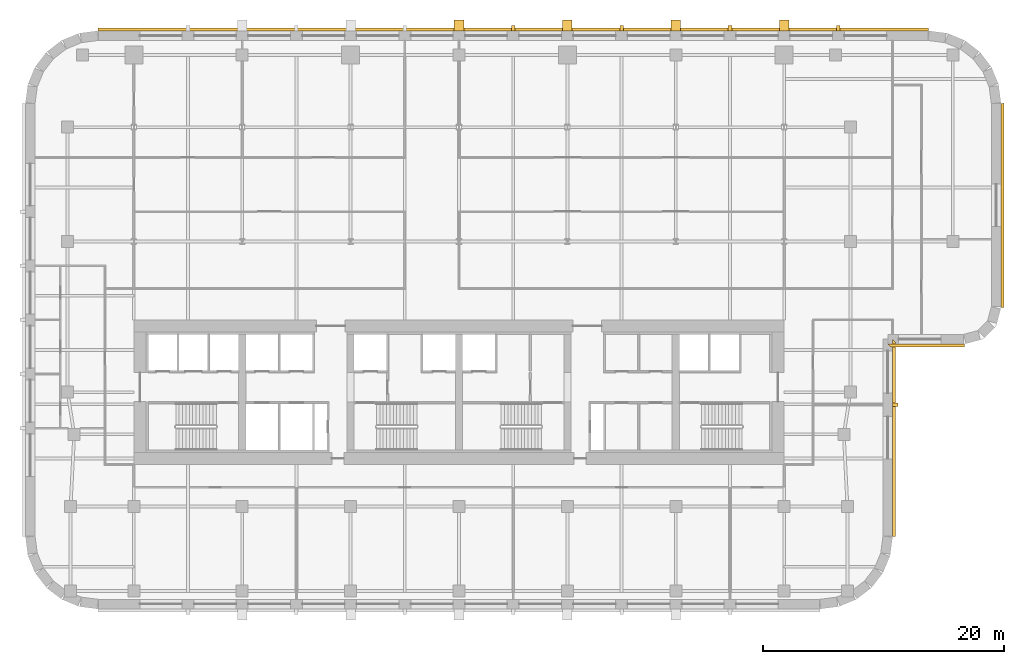
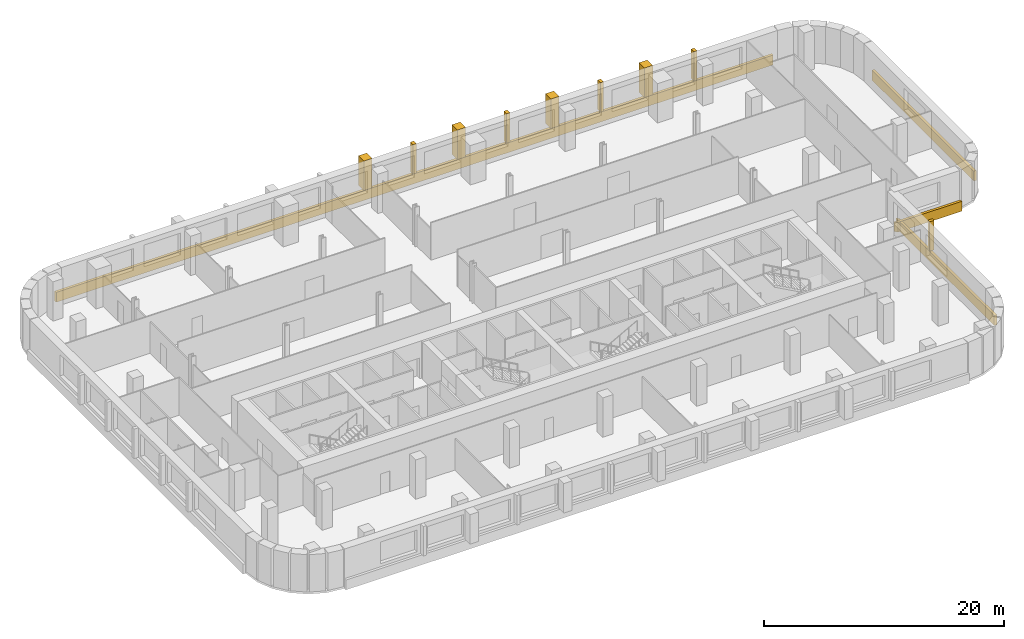
# One storey, part 10 of 10: 13 coverings.
"""IFC4 building model written with IfcOpenShell, lengths in metres."""

from ifc_helpers import new_model, si_unit, direction, frame, origin, place, context, subcontext, project, spatial, polyline, outline, extrude, material, layer, layer_set, type_object, element, save


model = new_model("IFC4")

# Units and contexts
model_context = context("Model", 3, precision=1e-05, world=origin(), true_north=direction((0.0, 1.0)))
body_context = subcontext(model_context, "Body", "Model", "MODEL_VIEW")
ifc_project = project(units=[si_unit("LENGTHUNIT", "METRE"), si_unit("AREAUNIT", "SQUARE_METRE"), si_unit("VOLUMEUNIT", "CUBIC_METRE"), si_unit("PLANEANGLEUNIT", "RADIAN"), si_unit("MASSUNIT", "GRAM", prefix="KILO")], contexts=[model_context])

# Site, building, storey
site_placement = place(None, origin())
site = spatial("IfcSite", under=ifc_project, at=site_placement, CompositionType="ELEMENT")
building_placement = place(site_placement, origin())
building = spatial("IfcBuilding", under=site, at=building_placement, Name="Zellij Exchange Tower", CompositionType="ELEMENT")
storey_placement = place(building_placement, frame((0.0, 0.0, 128.5)))
storey = spatial("IfcBuildingStorey", under=building, at=storey_placement, Name="L28", CompositionType="ELEMENT", Elevation=128.5)

# Coverings
ifc_material = material(Name="Limestone cladding", Category="masonry")
covering_type_1 = type_object("IfcCoveringType", Name="ENV-CV5 Stone pier 800x900", PredefinedType="CLADDING", material=ifc_material)
covering_1_placement = place(storey_placement, frame((0.0, 0.0, 0.800048828125)))
element("IfcCovering", 1, at=covering_1_placement, inside=storey, type_object=covering_type_1, Name="Stone pier", PredefinedType="CLADDING", context=body_context, shape_type="SweptSolid", body=[
    extrude(outline(polyline([(27.39990234375, 22.0), (26.60009765625, 22.0), (26.60009765625, 22.89990234375), (27.39990234375, 22.89990234375), (27.39990234375, 22.0)])), origin(), (0.0, 0.0, 1.0), 3.0),
])
covering_2_placement = place(storey_placement, frame((0.0, 0.0, 0.800048828125)))
element("IfcCovering", 2, at=covering_2_placement, inside=storey, type_object=covering_type_1, Name="Stone pier", PredefinedType="CLADDING", context=body_context, shape_type="SweptSolid", body=[
    extrude(outline(polyline([(18.39990234375, 22.0), (17.60009765625, 22.0), (17.60009765625, 22.89990234375), (18.39990234375, 22.89990234375), (18.39990234375, 22.0)])), origin(), (0.0, 0.0, 1.0), 3.0),
])
covering_3_placement = place(storey_placement, frame((0.0, 0.0, 0.800048828125)))
element("IfcCovering", 3, at=covering_3_placement, inside=storey, type_object=covering_type_1, Name="Stone pier", PredefinedType="CLADDING", context=body_context, shape_type="SweptSolid", body=[
    extrude(outline(polyline([(9.39990234375, 22.0), (8.60009765625, 22.0), (8.60009765625, 22.89990234375), (9.39990234375, 22.89990234375), (9.39990234375, 22.0)])), origin(), (0.0, 0.0, 1.0), 3.0),
])
covering_4_placement = place(storey_placement, frame((0.0, 0.0, 0.800048828125)))
element("IfcCovering", 4, at=covering_4_placement, inside=storey, type_object=covering_type_1, Name="Stone pier", PredefinedType="CLADDING", context=body_context, shape_type="SweptSolid", body=[
    extrude(outline(polyline([(0.39990234375, 22.0), (-0.39990234375, 22.0), (-0.39990234375, 22.89990234375), (0.39990234375, 22.89990234375), (0.39990234375, 22.0)])), origin(), (0.0, 0.0, 1.0), 3.0),
])
covering_type_2 = type_object("IfcCoveringType", Name="ENV-CV7 Stone pier 300x450", PredefinedType="CLADDING", material=ifc_material)
covering_5_placement = place(storey_placement, frame((0.0, 0.0, 0.800048828125)))
element("IfcCovering", 5, at=covering_5_placement, inside=storey, type_object=covering_type_2, Name="Stone pier", PredefinedType="CLADDING", context=body_context, shape_type="SweptSolid", body=[
    extrude(outline(polyline([(36.0, -9.2080078125), (36.0, -8.907958984375), (36.449951171875, -8.907958984375), (36.449951171875, -9.2080078125), (36.0, -9.2080078125)])), origin(), (0.0, 0.0, 1.0), 3.0),
])
covering_6_placement = place(storey_placement, frame((0.0, 0.0, 0.800048828125)))
element("IfcCovering", 6, at=covering_6_placement, inside=storey, type_object=covering_type_2, Name="Stone pier", PredefinedType="CLADDING", context=body_context, shape_type="SweptSolid", body=[
    extrude(outline(polyline([(31.64990234375, 22.0), (31.35009765625, 22.0), (31.35009765625, 22.449951171875), (31.64990234375, 22.449951171875), (31.64990234375, 22.0)])), origin(), (0.0, 0.0, 1.0), 3.0),
])
covering_7_placement = place(storey_placement, frame((0.0, 0.0, 0.800048828125)))
element("IfcCovering", 7, at=covering_7_placement, inside=storey, type_object=covering_type_2, Name="Stone pier", PredefinedType="CLADDING", context=body_context, shape_type="SweptSolid", body=[
    extrude(outline(polyline([(22.64990234375, 22.0), (22.35009765625, 22.0), (22.35009765625, 22.449951171875), (22.64990234375, 22.449951171875), (22.64990234375, 22.0)])), origin(), (0.0, 0.0, 1.0), 3.0),
])
covering_8_placement = place(storey_placement, frame((0.0, 0.0, 0.800048828125)))
element("IfcCovering", 8, at=covering_8_placement, inside=storey, type_object=covering_type_2, Name="Stone pier", PredefinedType="CLADDING", context=body_context, shape_type="SweptSolid", body=[
    extrude(outline(polyline([(13.64990234375, 22.0), (13.35009765625, 22.0), (13.35009765625, 22.449951171875), (13.64990234375, 22.449951171875), (13.64990234375, 22.0)])), origin(), (0.0, 0.0, 1.0), 3.0),
])
covering_9_placement = place(storey_placement, frame((0.0, 0.0, 0.800048828125)))
element("IfcCovering", 9, at=covering_9_placement, inside=storey, type_object=covering_type_2, Name="Stone pier", PredefinedType="CLADDING", context=body_context, shape_type="SweptSolid", body=[
    extrude(outline(polyline([(4.64990234375, 22.0), (4.35009765625, 22.0), (4.35009765625, 22.449951171875), (4.64990234375, 22.449951171875), (4.64990234375, 22.0)])), origin(), (0.0, 0.0, 1.0), 3.0),
])
ifc_layer = layer(ifc_material, 0.25)
ifc_layer_set = layer_set([ifc_layer], Name="Limestone cladding")
covering_type_3 = type_object("IfcCoveringType", Name="ENV-CV8 Stone spandrel band 250", PredefinedType="CLADDING", material=ifc_layer_set)
covering_10_placement = place(storey_placement, frame((0.0, 0.0, -0.199951171875)))
element("IfcCovering", 10, at=covering_10_placement, inside=storey, type_object=covering_type_3, Name="Stone spandrel band", PredefinedType="CLADDING", context=body_context, shape_type="SweptSolid", body=[
    extrude(outline(polyline([(36.0, -19.973876953125), (36.0, -3.60009765625), (36.25, -3.85009765625), (36.25, -19.990234375), (36.0, -19.973876953125)])), origin(), (0.0, 0.0, 1.0), 1.0),
])
covering_11_placement = place(storey_placement, frame((0.0, 0.0, -0.199951171875)))
element("IfcCovering", 11, at=covering_11_placement, inside=storey, type_object=covering_type_3, Name="Stone spandrel band", PredefinedType="CLADDING", context=body_context, shape_type="SweptSolid", body=[
    extrude(outline(polyline([(35.60009765625, -4.0), (41.947265625, -4.0), (41.980224609375, -4.25), (35.85009765625, -4.25), (35.60009765625, -4.0)])), origin(), (0.0, 0.0, 1.0), 1.0),
])
covering_12_placement = place(storey_placement, frame((0.0, 0.0, -0.199951171875)))
element("IfcCovering", 12, at=covering_12_placement, inside=storey, type_object=covering_type_3, Name="Stone spandrel band", PredefinedType="CLADDING", context=body_context, shape_type="SweptSolid", body=[
    extrude(outline(polyline([(45.0, -0.947265625), (45.0, 15.973876953125), (45.25, 15.990234375), (45.25, -0.980224609375), (45.0, -0.947265625)])), origin(), (0.0, 0.0, 1.0), 1.0),
])
covering_13_placement = place(storey_placement, frame((0.0, 0.0, -0.199951171875)))
element("IfcCovering", 13, at=covering_13_placement, inside=storey, type_object=covering_type_3, Name="Stone spandrel band", PredefinedType="CLADDING", context=body_context, shape_type="SweptSolid", body=[
    extrude(outline(polyline([(38.973876953125, 22.0), (-29.973876953125, 22.0), (-29.990234375, 22.25), (38.990234375, 22.25), (38.973876953125, 22.0)])), origin(), (0.0, 0.0, 1.0), 1.0),
])

save(model, "model.ifc")
